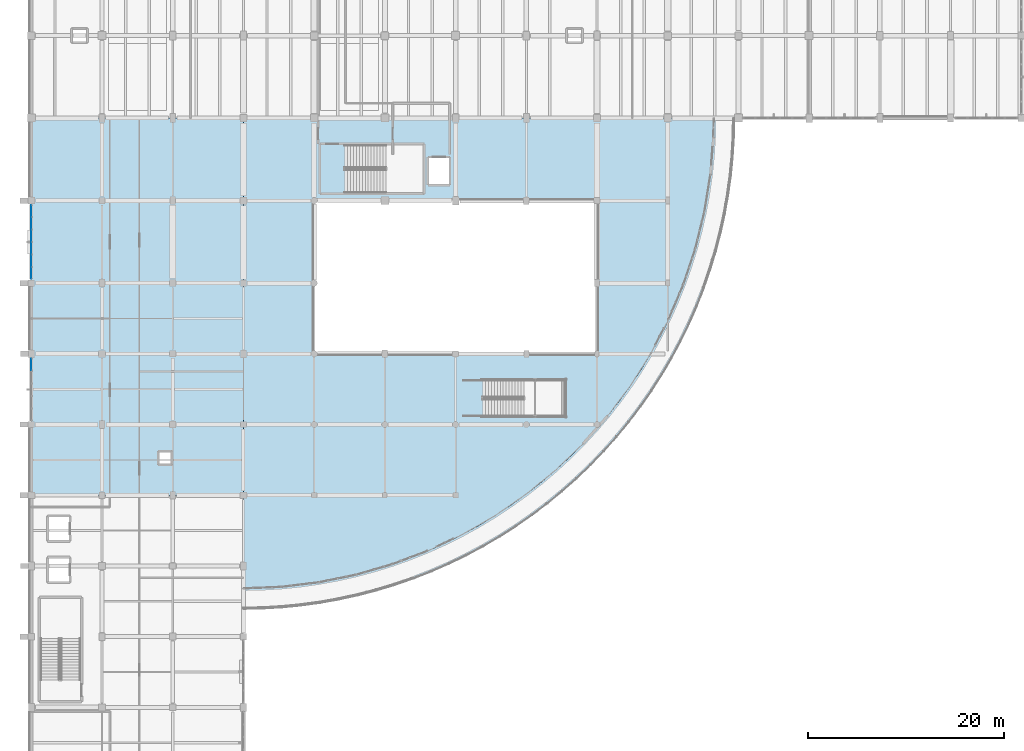
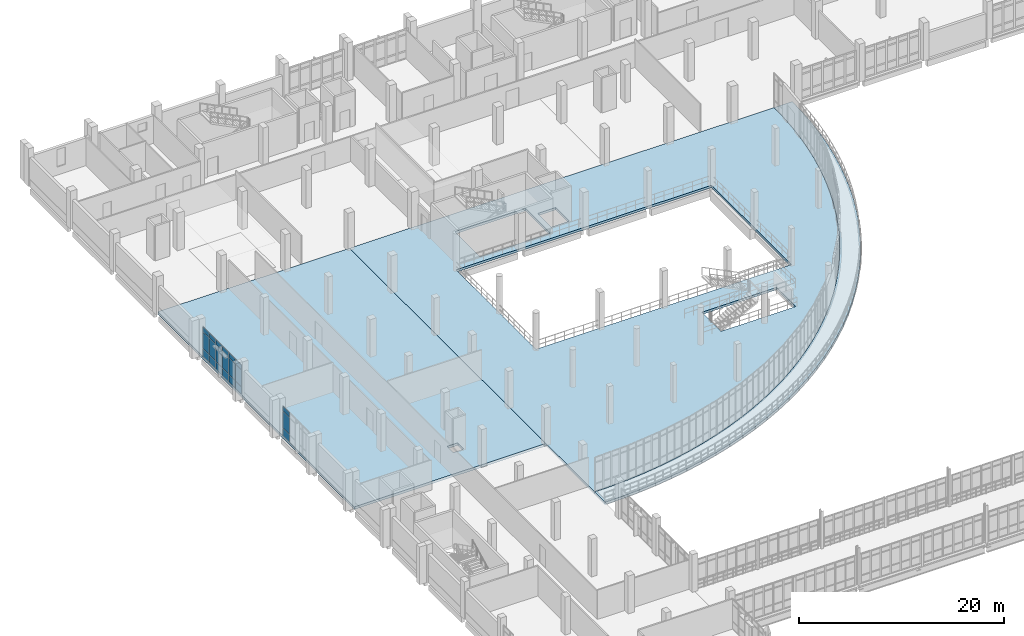
# One storey, part 97 of 124: 21 plates, 3 slabs, 2 elements without a shape of their own.
"""IFC4 building model written with IfcOpenShell, lengths in metres."""

from ifc_helpers import new_model, si_unit, direction, frame, origin, origin_2d, place, context, subcontext, project, spatial, polyline, rectangle, outline, extrude, material, layer, layer_set, type_object, element, aggregate, save


model = new_model("IFC4")

# Units and contexts
model_context = context("Model", 3, precision=1e-05, world=origin(), true_north=direction((0.0, 1.0)))
body_context = subcontext(model_context, "Body", "Model", "MODEL_VIEW")
ifc_project = project(units=[si_unit("LENGTHUNIT", "METRE"), si_unit("AREAUNIT", "SQUARE_METRE"), si_unit("VOLUMEUNIT", "CUBIC_METRE"), si_unit("PLANEANGLEUNIT", "RADIAN"), si_unit("MASSUNIT", "GRAM", prefix="KILO")], contexts=[model_context])

# Site, building, storey
site_placement = place(None, origin())
site = spatial("IfcSite", under=ifc_project, at=site_placement, CompositionType="ELEMENT")
building_placement = place(site_placement, origin())
building = spatial("IfcBuilding", under=site, at=building_placement, Name="Kalluvel Institute of Natural Sciences", CompositionType="ELEMENT")
storey_placement = place(building_placement, frame((0.0, 0.0, 9.89990234375)))
storey = spatial("IfcBuildingStorey", under=building, at=storey_placement, Name="L02", CompositionType="ELEMENT", Elevation=9.89990234375)

# Curtain wall, plates
ifc_material_1 = material(Name="Aluminium AW-6063 T6", Category="aluminium")
curtain_wall_type = type_object("IfcCurtainWallType", Name="CW-DRY-45", PredefinedType="USERDEFINED", material=ifc_material_1)
curtain_wall_1_placement = place(storey_placement, origin())
curtain_wall_1 = element("IfcCurtainWall", 1, at=curtain_wall_1_placement, inside=storey, type_object=curtain_wall_type, Name="L02 Gothic lancet curtain wall CWA-L02-X140-Y720", ObjectType="UNITISED LANCET FACADE", PredefinedType="USERDEFINED")
ifc_material_2 = material(Name="Solar-Control Low-E Laminated Glass", Category="glass")
ifc_layer_1 = layer(ifc_material_2, 0.028076171875)
ifc_layer_set_1 = layer_set([ifc_layer_1], Name="Solar-Control Low-E Laminated Glass")
plate_type = type_object("IfcPlateType", Name="CWP-DGU-28", PredefinedType="CURTAIN_PANEL", material=ifc_layer_set_1)
plate_1_placement = place(storey_placement, frame((14.0, 77.697509765625, 0.06005859375), z_axis=(0.0, 0.0, 1.0), x_axis=(0.0, 1.0, 0.0)))
plate_1 = element("IfcPlate", 2, at=plate_1_placement, type_object=plate_type, Name="CW-03 panel 5.1", PredefinedType="CURTAIN_PANEL", context=body_context, shape_type="SweptSolid", body=[
    extrude(rectangle(XDim=1.18505859375, YDim=0.028076171875, at=origin_2d()), origin(), (0.0, 0.0, 1.0), 0.860107421875),
])
plate_2_placement = place(storey_placement, frame((14.0, 77.697509765625, 0.980224609375), z_axis=(0.0, 0.0, 1.0), x_axis=(0.0, 1.0, 0.0)))
plate_2 = element("IfcPlate", 3, at=plate_2_placement, type_object=plate_type, Name="CW-03 panel 5.2", PredefinedType="CURTAIN_PANEL", context=body_context, shape_type="SweptSolid", body=[
    extrude(rectangle(XDim=1.18505859375, YDim=0.028076171875, at=origin_2d()), origin(), (0.0, 0.0, 1.0), 1.9599609375),
])
plate_3_placement = place(storey_placement, frame((14.0, 77.697509765625, 3.0), z_axis=(0.0, 0.0, 1.0), x_axis=(0.0, 1.0, 0.0)))
plate_3 = element("IfcPlate", 4, at=plate_3_placement, type_object=plate_type, Name="CW-03 panel 5.3", PredefinedType="CURTAIN_PANEL", context=body_context, shape_type="SweptSolid", body=[
    extrude(rectangle(XDim=1.18505859375, YDim=0.028076171875, at=origin_2d()), origin(), (0.0, 0.0, 1.0), 0.56005859375),
])
aggregate(curtain_wall_1, [plate_1, plate_2, plate_3])

curtain_wall_2_placement = place(storey_placement, origin())
curtain_wall_2 = element("IfcCurtainWall", 5, at=curtain_wall_2_placement, inside=storey, type_object=curtain_wall_type, Name="L02 Gothic lancet curtain wall CWA-L02-X140-Y864", ObjectType="UNITISED LANCET FACADE", PredefinedType="USERDEFINED")
plate_4_placement = place(storey_placement, frame((14.0, 87.025390625, 0.06005859375), z_axis=(0.0, 0.0, 1.0), x_axis=(0.0, 1.0, 0.0)))
plate_4 = element("IfcPlate", 6, at=plate_4_placement, type_object=plate_type, Name="CW-03 panel 1.1", PredefinedType="CURTAIN_PANEL", context=body_context, shape_type="SweptSolid", body=[
    extrude(rectangle(XDim=1.180908203125, YDim=0.028076171875, at=origin_2d()), origin(), (0.0, 0.0, 1.0), 0.860107421875),
])
plate_5_placement = place(storey_placement, frame((14.0, 87.025390625, 0.980224609375), z_axis=(0.0, 0.0, 1.0), x_axis=(0.0, 1.0, 0.0)))
plate_5 = element("IfcPlate", 7, at=plate_5_placement, type_object=plate_type, Name="CW-03 panel 1.2", PredefinedType="CURTAIN_PANEL", context=body_context, shape_type="SweptSolid", body=[
    extrude(rectangle(XDim=1.180908203125, YDim=0.028076171875, at=origin_2d()), origin(), (0.0, 0.0, 1.0), 1.9599609375),
])
plate_6_placement = place(storey_placement, frame((14.0, 87.025390625, 3.0), z_axis=(0.0, 0.0, 1.0), x_axis=(0.0, 1.0, 0.0)))
plate_6 = element("IfcPlate", 8, at=plate_6_placement, type_object=plate_type, Name="CW-03 panel 1.3", PredefinedType="CURTAIN_PANEL", context=body_context, shape_type="SweptSolid", body=[
    extrude(rectangle(XDim=1.180908203125, YDim=0.028076171875, at=origin_2d()), origin(), (0.0, 0.0, 1.0), 0.56005859375),
])
plate_7_placement = place(storey_placement, frame((14.0, 88.28125, 0.06005859375), z_axis=(0.0, 0.0, 1.0), x_axis=(0.0, 1.0, 0.0)))
plate_7 = element("IfcPlate", 9, at=plate_7_placement, type_object=plate_type, Name="CW-03 panel 2.1", PredefinedType="CURTAIN_PANEL", context=body_context, shape_type="SweptSolid", body=[
    extrude(rectangle(XDim=1.2109375, YDim=0.028076171875, at=origin_2d()), origin(), (0.0, 0.0, 1.0), 0.860107421875),
])
plate_8_placement = place(storey_placement, frame((14.0, 88.28125, 0.980224609375), z_axis=(0.0, 0.0, 1.0), x_axis=(0.0, 1.0, 0.0)))
plate_8 = element("IfcPlate", 10, at=plate_8_placement, type_object=plate_type, Name="CW-03 panel 2.2", PredefinedType="CURTAIN_PANEL", context=body_context, shape_type="SweptSolid", body=[
    extrude(rectangle(XDim=1.2109375, YDim=0.028076171875, at=origin_2d()), origin(), (0.0, 0.0, 1.0), 1.9599609375),
])
plate_9_placement = place(storey_placement, frame((14.0, 88.28125, 3.0), z_axis=(0.0, 0.0, 1.0), x_axis=(0.0, 1.0, 0.0)))
plate_9 = element("IfcPlate", 11, at=plate_9_placement, type_object=plate_type, Name="CW-03 panel 2.3", PredefinedType="CURTAIN_PANEL", context=body_context, shape_type="SweptSolid", body=[
    extrude(rectangle(XDim=1.2109375, YDim=0.028076171875, at=origin_2d()), origin(), (0.0, 0.0, 1.0), 0.56005859375),
])
plate_10_placement = place(storey_placement, frame((14.0, 89.552001953125, 0.06005859375), z_axis=(0.0, 0.0, 1.0), x_axis=(0.0, 1.0, 0.0)))
plate_10 = element("IfcPlate", 12, at=plate_10_placement, type_object=plate_type, Name="CW-03 panel 3.1", PredefinedType="CURTAIN_PANEL", context=body_context, shape_type="SweptSolid", body=[
    extrude(rectangle(XDim=1.2109375, YDim=0.028076171875, at=origin_2d()), origin(), (0.0, 0.0, 1.0), 0.860107421875),
])
plate_11_placement = place(storey_placement, frame((14.0, 89.552001953125, 0.980224609375), z_axis=(0.0, 0.0, 1.0), x_axis=(0.0, 1.0, 0.0)))
plate_11 = element("IfcPlate", 13, at=plate_11_placement, type_object=plate_type, Name="CW-03 panel 3.2", PredefinedType="CURTAIN_PANEL", context=body_context, shape_type="SweptSolid", body=[
    extrude(rectangle(XDim=1.2109375, YDim=0.028076171875, at=origin_2d()), origin(), (0.0, 0.0, 1.0), 1.9599609375),
])
plate_12_placement = place(storey_placement, frame((14.0, 89.552001953125, 3.0), z_axis=(0.0, 0.0, 1.0), x_axis=(0.0, 1.0, 0.0)))
plate_12 = element("IfcPlate", 14, at=plate_12_placement, type_object=plate_type, Name="CW-03 panel 3.3", PredefinedType="CURTAIN_PANEL", context=body_context, shape_type="SweptSolid", body=[
    extrude(rectangle(XDim=1.2109375, YDim=0.028076171875, at=origin_2d()), origin(), (0.0, 0.0, 1.0), 0.56005859375),
])
plate_13_placement = place(storey_placement, frame((14.0, 90.822998046875, 0.06005859375), z_axis=(0.0, 0.0, 1.0), x_axis=(0.0, 1.0, 0.0)))
plate_13 = element("IfcPlate", 15, at=plate_13_placement, type_object=plate_type, Name="CW-03 panel 4.1", PredefinedType="CURTAIN_PANEL", context=body_context, shape_type="SweptSolid", body=[
    extrude(rectangle(XDim=1.2109375, YDim=0.028076171875, at=origin_2d()), origin(), (0.0, 0.0, 1.0), 0.860107421875),
])
plate_14_placement = place(storey_placement, frame((14.0, 90.822998046875, 0.980224609375), z_axis=(0.0, 0.0, 1.0), x_axis=(0.0, 1.0, 0.0)))
plate_14 = element("IfcPlate", 16, at=plate_14_placement, type_object=plate_type, Name="CW-03 panel 4.2", PredefinedType="CURTAIN_PANEL", context=body_context, shape_type="SweptSolid", body=[
    extrude(rectangle(XDim=1.2109375, YDim=0.028076171875, at=origin_2d()), origin(), (0.0, 0.0, 1.0), 1.9599609375),
])
plate_15_placement = place(storey_placement, frame((14.0, 90.822998046875, 3.0), z_axis=(0.0, 0.0, 1.0), x_axis=(0.0, 1.0, 0.0)))
plate_15 = element("IfcPlate", 17, at=plate_15_placement, type_object=plate_type, Name="CW-03 panel 4.3", PredefinedType="CURTAIN_PANEL", context=body_context, shape_type="SweptSolid", body=[
    extrude(rectangle(XDim=1.2109375, YDim=0.028076171875, at=origin_2d()), origin(), (0.0, 0.0, 1.0), 0.56005859375),
])
plate_16_placement = place(storey_placement, frame((14.0, 92.09375, 0.06005859375), z_axis=(0.0, 0.0, 1.0), x_axis=(0.0, 1.0, 0.0)))
plate_16 = element("IfcPlate", 18, at=plate_16_placement, type_object=plate_type, Name="CW-03 panel 5.1", PredefinedType="CURTAIN_PANEL", context=body_context, shape_type="SweptSolid", body=[
    extrude(rectangle(XDim=1.2109375, YDim=0.028076171875, at=origin_2d()), origin(), (0.0, 0.0, 1.0), 0.860107421875),
])
plate_17_placement = place(storey_placement, frame((14.0, 92.09375, 0.980224609375), z_axis=(0.0, 0.0, 1.0), x_axis=(0.0, 1.0, 0.0)))
plate_17 = element("IfcPlate", 19, at=plate_17_placement, type_object=plate_type, Name="CW-03 panel 5.2", PredefinedType="CURTAIN_PANEL", context=body_context, shape_type="SweptSolid", body=[
    extrude(rectangle(XDim=1.2109375, YDim=0.028076171875, at=origin_2d()), origin(), (0.0, 0.0, 1.0), 1.9599609375),
])
plate_18_placement = place(storey_placement, frame((14.0, 92.09375, 3.0), z_axis=(0.0, 0.0, 1.0), x_axis=(0.0, 1.0, 0.0)))
plate_18 = element("IfcPlate", 20, at=plate_18_placement, type_object=plate_type, Name="CW-03 panel 5.3", PredefinedType="CURTAIN_PANEL", context=body_context, shape_type="SweptSolid", body=[
    extrude(rectangle(XDim=1.2109375, YDim=0.028076171875, at=origin_2d()), origin(), (0.0, 0.0, 1.0), 0.56005859375),
])
plate_19_placement = place(storey_placement, frame((14.0, 93.349609375, 0.06005859375), z_axis=(0.0, 0.0, 1.0), x_axis=(0.0, 1.0, 0.0)))
plate_19 = element("IfcPlate", 21, at=plate_19_placement, type_object=plate_type, Name="CW-03 panel 6.1", PredefinedType="CURTAIN_PANEL", context=body_context, shape_type="SweptSolid", body=[
    extrude(rectangle(XDim=1.180908203125, YDim=0.028076171875, at=origin_2d()), origin(), (0.0, 0.0, 1.0), 0.860107421875),
])
plate_20_placement = place(storey_placement, frame((14.0, 93.349609375, 0.980224609375), z_axis=(0.0, 0.0, 1.0), x_axis=(0.0, 1.0, 0.0)))
plate_20 = element("IfcPlate", 22, at=plate_20_placement, type_object=plate_type, Name="CW-03 panel 6.2", PredefinedType="CURTAIN_PANEL", context=body_context, shape_type="SweptSolid", body=[
    extrude(rectangle(XDim=1.180908203125, YDim=0.028076171875, at=origin_2d()), origin(), (0.0, 0.0, 1.0), 1.9599609375),
])
plate_21_placement = place(storey_placement, frame((14.0, 93.349609375, 3.0), z_axis=(0.0, 0.0, 1.0), x_axis=(0.0, 1.0, 0.0)))
plate_21 = element("IfcPlate", 23, at=plate_21_placement, type_object=plate_type, Name="CW-03 panel 6.3", PredefinedType="CURTAIN_PANEL", context=body_context, shape_type="SweptSolid", body=[
    extrude(rectangle(XDim=1.180908203125, YDim=0.028076171875, at=origin_2d()), origin(), (0.0, 0.0, 1.0), 0.56005859375),
])
aggregate(curtain_wall_2, [plate_4, plate_5, plate_6, plate_7, plate_8, plate_9, plate_10, plate_11, plate_12, plate_13, plate_14, plate_15, plate_16, plate_17, plate_18, plate_19, plate_20, plate_21])

# Slabs
ifc_material_3 = material(Name="Concrete M40", Category="concrete")
ifc_layer_2 = layer(ifc_material_3, 0.280029296875)
ifc_layer_set_2 = layer_set([ifc_layer_2], Name="Concrete M40")
slab_type_1 = type_object("IfcSlabType", Name="SLB-ATR-280", PredefinedType="FLOOR", material=ifc_layer_set_2)
slab_1_placement = place(storey_placement, frame((0.0, 0.0, -0.27978515625)))
element("IfcSlab", 24, at=slab_1_placement, inside=storey, type_object=slab_type_1, Name="L02 Interaction Atrium Gallery Slab", PredefinedType="FLOOR", context=body_context, shape_type="SweptSolid", body=[
    extrude(outline(polyline([(35.60009765625, 102.800048828125), (35.60009765625, 54.89990234375), (37.52880859375, 54.938720703125), (39.454345703125, 55.055419921875), (41.373779296875, 55.249267578125), (43.28369140625, 55.520263671875), (45.18115234375, 55.867919921875), (47.063232421875, 56.2919921875), (48.926513671875, 56.791259765625), (50.768310546875, 57.364990234375), (52.585693359375, 58.0126953125), (54.375244140625, 58.73291015625), (56.134521484375, 59.524658203125), (57.860107421875, 60.38671875), (59.550048828125, 61.3173828125), (61.200927734375, 62.3154296875), (62.810302734375, 63.379150390625), (64.37548828125, 64.506591796875), (65.89404296875, 65.6962890625), (67.363525390625, 66.9462890625), (68.781494140625, 68.25439453125), (70.1455078125, 69.618408203125), (71.45361328125, 71.036376953125), (72.70361328125, 72.505859375), (73.893310546875, 74.0244140625), (75.02099609375, 75.589599609375), (76.084716796875, 77.19921875), (77.08251953125, 78.85009765625), (78.01318359375, 80.539794921875), (78.875244140625, 82.265625), (79.6669921875, 84.02490234375), (80.38720703125, 85.814453125), (81.034912109375, 87.631591796875), (81.60888671875, 89.473388671875), (82.108154296875, 91.3369140625), (82.531982421875, 93.21875), (82.879638671875, 95.1162109375), (83.15087890625, 97.0263671875), (83.3447265625, 98.94580078125), (83.461181640625, 100.871337890625), (83.5, 102.800048828125), (35.60009765625, 102.800048828125)]), holes=[polyline([(45.91796875, 95.199951171875), (53.89990234375, 95.199951171875), (53.89990234375, 100.070068359375), (45.91796875, 100.070068359375), (45.91796875, 95.199951171875)]), polyline([(59.968017578125, 72.39990234375), (68.39990234375, 72.39990234375), (68.39990234375, 76.14990234375), (59.968017578125, 76.14990234375), (59.968017578125, 72.39990234375)]), polyline([(54.47998046875, 96.080078125), (56.52001953125, 96.080078125), (56.52001953125, 98.719970703125), (54.47998046875, 98.719970703125), (54.47998046875, 96.080078125)]), polyline([(42.800048828125, 78.800048828125), (71.60009765625, 78.800048828125), (71.60009765625, 94.39990234375), (42.800048828125, 94.39990234375), (42.800048828125, 78.800048828125)])]), origin(), (0.0, 0.0, 1.0), 0.27978515625),
])
ifc_layer_3 = layer(ifc_material_3, 0.300048828125)
ifc_layer_set_3 = layer_set([ifc_layer_3], Name="Concrete M40")
slab_type_2 = type_object("IfcSlabType", Name="SLB-DRY-300", PredefinedType="FLOOR", material=ifc_layer_set_3)
slab_2_placement = place(storey_placement, frame((0.0, 0.0, -0.2998046875)))
element("IfcSlab", 25, at=slab_2_placement, inside=storey, type_object=slab_type_2, Name="L02 Dry Laboratory Floor Slab N", PredefinedType="FLOOR", context=body_context, shape_type="SweptSolid", body=[
    extrude(outline(polyline([(14.0, 64.39990234375), (35.60009765625, 64.39990234375), (35.60009765625, 102.800048828125), (14.0, 102.800048828125), (14.0, 64.39990234375)]), holes=[polyline([(27.0, 67.60009765625), (27.0, 68.800048828125), (28.199951171875, 68.800048828125), (28.199951171875, 67.60009765625), (27.0, 67.60009765625)])]), origin(), (0.0, 0.0, 1.0), 0.2998046875),
])
ifc_material_4 = material(Name="Sadarahalli Granite Precast Concrete M45", Category="masonry")
ifc_layer_4 = layer(ifc_material_4, 0.300048828125)
ifc_layer_set_4 = layer_set([ifc_layer_4], Name="Sadarahalli Granite Precast Concrete M45")
slab_type_3 = type_object("IfcSlabType", Name="SLB-TER-300", PredefinedType="FLOOR", material=ifc_layer_set_4)
slab_3_placement = place(storey_placement, frame((0.0, 0.0, -0.2998046875)))
element("IfcSlab", 26, at=slab_3_placement, inside=storey, type_object=slab_type_3, Name="L02 Unbroken Curved Stepped Planted Atrium Terrace Slab", PredefinedType="FLOOR", context=body_context, shape_type="SweptSolid", body=[
    extrude(outline(polyline([(35.60009765625, 52.85009765625), (37.56103515625, 52.888427734375), (39.51904296875, 53.00390625), (41.470947265625, 53.1962890625), (43.413818359375, 53.465087890625), (45.3447265625, 53.809814453125), (47.260498046875, 54.22998046875), (49.158447265625, 54.725341796875), (51.035400390625, 55.294677734375), (52.888427734375, 55.937255859375), (54.715087890625, 56.652099609375), (56.51220703125, 57.438232421875), (58.27685546875, 58.294189453125), (60.006591796875, 59.21875), (61.69873046875, 60.210693359375), (63.3505859375, 61.26806640625), (64.9599609375, 62.3896484375), (66.523681640625, 63.573486328125), (68.039794921875, 64.817626953125), (69.506103515625, 66.12060546875), (70.919921875, 67.47998046875), (72.279296875, 68.893798828125), (73.582275390625, 70.360107421875), (74.82666015625, 71.876220703125), (76.010498046875, 73.440185546875), (77.1318359375, 75.04931640625), (78.189453125, 76.701171875), (79.18115234375, 78.393310546875), (80.105712890625, 80.123291015625), (80.9619140625, 81.887939453125), (81.747802734375, 83.68505859375), (82.462646484375, 85.511474609375), (83.105224609375, 87.364501953125), (83.674560546875, 89.241455078125), (84.169921875, 91.139404296875), (84.590087890625, 93.05517578125), (84.93505859375, 94.986083984375), (85.203857421875, 96.928955078125), (85.39599609375, 98.881103515625), (85.511474609375, 100.839111328125), (85.550048828125, 102.800048828125), (83.5, 102.800048828125), (83.461181640625, 100.871337890625), (83.3447265625, 98.94580078125), (83.15087890625, 97.0263671875), (82.879638671875, 95.1162109375), (82.531982421875, 93.21875), (82.108154296875, 91.3369140625), (81.60888671875, 89.473388671875), (81.034912109375, 87.631591796875), (80.38720703125, 85.814453125), (79.6669921875, 84.02490234375), (78.875244140625, 82.265625), (78.01318359375, 80.539794921875), (77.08251953125, 78.85009765625), (76.084716796875, 77.19921875), (75.02099609375, 75.589599609375), (73.893310546875, 74.0244140625), (72.70361328125, 72.505859375), (71.45361328125, 71.036376953125), (70.1455078125, 69.618408203125), (68.781494140625, 68.25439453125), (67.363525390625, 66.9462890625), (65.89404296875, 65.6962890625), (64.37548828125, 64.506591796875), (62.810302734375, 63.379150390625), (61.200927734375, 62.3154296875), (59.550048828125, 61.3173828125), (57.860107421875, 60.38671875), (56.134521484375, 59.524658203125), (54.375244140625, 58.73291015625), (52.585693359375, 58.0126953125), (50.768310546875, 57.364990234375), (48.926513671875, 56.791259765625), (47.063232421875, 56.2919921875), (45.18115234375, 55.867919921875), (43.28369140625, 55.520263671875), (41.373779296875, 55.249267578125), (39.454345703125, 55.055419921875), (37.52880859375, 54.938720703125), (35.60009765625, 54.89990234375), (35.60009765625, 52.85009765625)])), origin(), (0.0, 0.0, 1.0), 0.2998046875),
])

save(model, "model.ifc")
